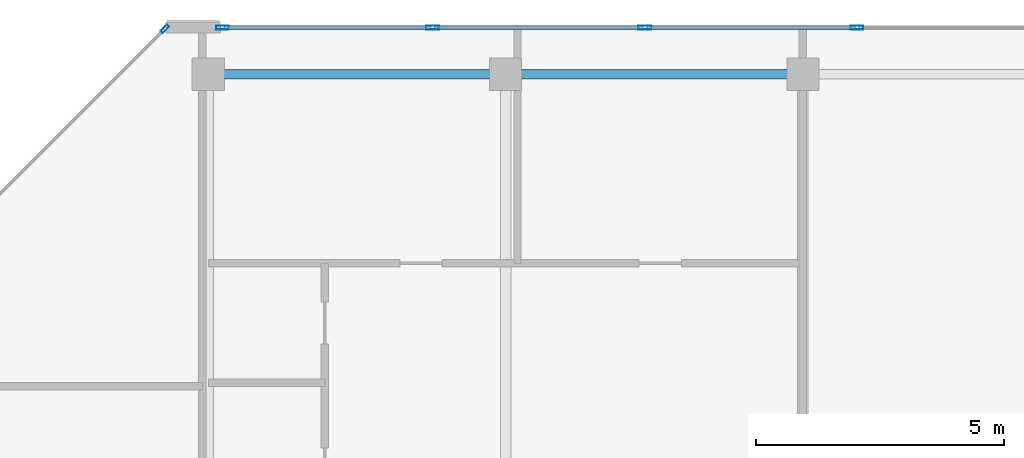
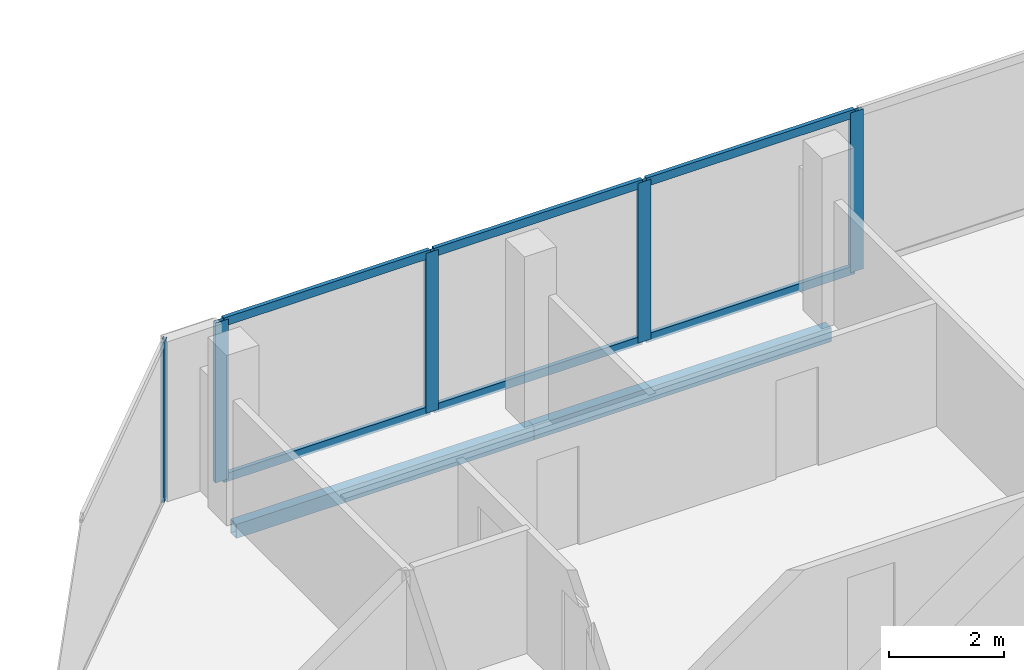
# One storey, part 15 of 28: 11 members, 2 beams, 2 elements without a shape of their own.
"""IFC4 building model written with IfcOpenShell, lengths in metres."""

from ifc_helpers import new_model, si_unit, direction, frame, origin, origin_2d, place, context, subcontext, project, spatial, hollow_rectangle, extrude, material, layer, layer_set, material_profile, profile_set, type_object, element, aggregate, save


model = new_model("IFC4")

# Units and contexts
model_context = context("Model", 3, precision=1e-05, world=origin(), true_north=direction((0.0, 1.0)))
body_context = subcontext(model_context, "Body", "Model", "MODEL_VIEW")
ifc_project = project(units=[si_unit("LENGTHUNIT", "METRE"), si_unit("AREAUNIT", "SQUARE_METRE"), si_unit("VOLUMEUNIT", "CUBIC_METRE"), si_unit("PLANEANGLEUNIT", "RADIAN"), si_unit("MASSUNIT", "GRAM", prefix="KILO")], contexts=[model_context])

# Site, building, storey
site_placement = place(None, origin())
site = spatial("IfcSite", under=ifc_project, at=site_placement, CompositionType="ELEMENT")
building_placement = place(site_placement, origin())
building = spatial("IfcBuilding", under=site, at=building_placement, Name="Tanjung Sevakor Pilgrim Tower", CompositionType="ELEMENT")
storey_placement = place(building_placement, frame((0.0, 0.0, 257.070068359375)))
storey = spatial("IfcBuildingStorey", under=building, at=storey_placement, Name="L72", CompositionType="ELEMENT", Elevation=257.070068359375)

# Beams
ifc_material_1 = material(Name="Steel S355J2", Category="steel")
ifc_material_profile_1 = material_profile(ifc_material_1, hollow_rectangle(XDim=0.199951171875, YDim=0.300048828125, WallThickness=0.012451171875, at=origin_2d()))
ifc_profile_set_1 = profile_set([ifc_material_profile_1], Name="Steel S355J2")
beam_type = type_object("IfcBeamType", Name="BM-B-SP3-RHS_300x200x12.5", PredefinedType="SPANDREL", material=ifc_profile_set_1)
for number, where, z_axis, x_axis, name in (
    (1, (72.0, 53.949951171875, -0.3701171875), (1.0, 0.0, 0.0), (0.0, 1.0, 0.0), "L72 Spandrel EAST N-02"),
    (2, (78.0, 53.949951171875, -0.3701171875), (1.0, 0.0, 0.0), (0.0, 1.0, 0.0), "L72 Spandrel EAST N-04"),
):
    element("IfcBeam", number, at=place(storey_placement, frame(where, z_axis=z_axis, x_axis=x_axis)), inside=storey, type_object=beam_type, Name=name, PredefinedType="SPANDREL", context=body_context, shape_type="SweptSolid", body=[
        extrude(hollow_rectangle(XDim=0.199951171875, YDim=0.300048828125, WallThickness=0.012451171875, at=origin_2d()), origin(), (0.0, 0.0, 1.0), 6.0),
    ])

# Curtain wall, member
ifc_material_2 = material(Name="Aluminium 6063-T6 and Low-E Glass", Category="aluminium")
ifc_layer_1 = layer(ifc_material_2, 0.179931640625)
ifc_layer_set_1 = layer_set([ifc_layer_1], Name="CW-SYS-CHAM")
curtain_wall_type_1 = type_object("IfcCurtainWallType", Name="CW-SYS-CHAM", PredefinedType="NOTDEFINED", material=ifc_layer_set_1)
curtain_wall_1_placement = place(storey_placement, origin())
curtain_wall_1 = element("IfcCurtainWall", 3, at=curtain_wall_1_placement, inside=storey, type_object=curtain_wall_type_1, Name="L72 Curtain Wall CW-CHM-L72-EAST-5", PredefinedType="NOTDEFINED")
ifc_material_3 = material(Name="Aluminium 6063-T6", Category="aluminium")
ifc_material_profile_2 = material_profile(ifc_material_3, hollow_rectangle(XDim=0.06494140625, YDim=0.179931640625, WallThickness=0.00390625, at=origin_2d()))
ifc_profile_set_2 = profile_set([ifc_material_profile_2], Name="Aluminium 6063-T6")
member_type_1 = type_object("IfcMemberType", Name="TYPE-CWM-1", PredefinedType="MULLION", material=ifc_profile_set_2)
member_1_placement = place(storey_placement, frame((71.12255859375, 54.866943359375, 0.0), z_axis=(0.0, 0.0, 1.0), x_axis=(0.707106781187, -0.707106781187, 0.0)))
member_1 = element("IfcMember", 4, at=member_1_placement, type_object=member_type_1, Name="CW-CHM mullion 1", PredefinedType="MULLION", context=body_context, shape_type="SweptSolid", body=[
    extrude(hollow_rectangle(XDim=0.06494140625, YDim=0.179931640625, WallThickness=0.00390625, at=origin_2d()), origin(), (0.0, 0.0, 1.0), 3.409912109375),
])
aggregate(curtain_wall_1, [member_1])

# Curtain wall, members
ifc_material_4 = material(Name="Aluminium 6063-T6 and Low-E Glass", Category="aluminium")
ifc_layer_2 = layer(ifc_material_4, 0.219970703125)
ifc_layer_set_2 = layer_set([ifc_layer_2], Name="CW-SYS-CRNE")
curtain_wall_type_2 = type_object("IfcCurtainWallType", Name="CW-SYS-CRNE", PredefinedType="NOTDEFINED", material=ifc_layer_set_2)
curtain_wall_2_placement = place(storey_placement, origin())
curtain_wall_2 = element("IfcCurtainWall", 5, at=curtain_wall_2_placement, inside=storey, type_object=curtain_wall_type_2, Name="L72 Curtain Wall CW-CRN-L72-EAST-4-1", PredefinedType="NOTDEFINED")
ifc_material_5 = material(Name="Aluminium 6063-T6", Category="aluminium")
ifc_material_profile_3 = material_profile(ifc_material_5, hollow_rectangle(XDim=0.080078125, YDim=0.260009765625, WallThickness=0.0048828125, at=origin_2d()))
ifc_profile_set_3 = profile_set([ifc_material_profile_3], Name="Aluminium 6063-T6")
member_type_2 = type_object("IfcMemberType", Name="TYPE-CWM-3", PredefinedType="MULLION", material=ifc_profile_set_3)
member_2_placement = place(storey_placement, frame((85.0908203125, 54.889892578125, 0.0), z_axis=(0.0, 0.0, 1.0), x_axis=(0.0, -1.0, 0.0)))
member_2 = element("IfcMember", 6, at=member_2_placement, type_object=member_type_2, Name="CW-CRE mullion 3", PredefinedType="MULLION", context=body_context, shape_type="SweptSolid", body=[
    extrude(hollow_rectangle(XDim=0.080078125, YDim=0.260009765625, WallThickness=0.0048828125, at=origin_2d()), origin(), (0.0, 0.0, 1.0), 3.409912109375),
])
member_3_placement = place(storey_placement, frame((80.80908203125, 54.889892578125, 0.0), z_axis=(0.0, 0.0, 1.0), x_axis=(0.0, -1.0, 0.0)))
member_3 = element("IfcMember", 7, at=member_3_placement, type_object=member_type_2, Name="CW-CRE mullion 4", PredefinedType="MULLION", context=body_context, shape_type="SweptSolid", body=[
    extrude(hollow_rectangle(XDim=0.080078125, YDim=0.260009765625, WallThickness=0.0048828125, at=origin_2d()), origin(), (0.0, 0.0, 1.0), 3.409912109375),
])
member_4_placement = place(storey_placement, frame((76.52734375, 54.889892578125, 0.0), z_axis=(0.0, 0.0, 1.0), x_axis=(0.0, -1.0, 0.0)))
member_4 = element("IfcMember", 8, at=member_4_placement, type_object=member_type_2, Name="CW-CRE mullion 5", PredefinedType="MULLION", context=body_context, shape_type="SweptSolid", body=[
    extrude(hollow_rectangle(XDim=0.080078125, YDim=0.260009765625, WallThickness=0.0048828125, at=origin_2d()), origin(), (0.0, 0.0, 1.0), 3.409912109375),
])
member_5_placement = place(storey_placement, frame((72.28564453125, 54.889892578125, 0.0), z_axis=(0.0, 0.0, 1.0), x_axis=(0.0, -1.0, 0.0)))
member_5 = element("IfcMember", 9, at=member_5_placement, type_object=member_type_2, Name="CW-CRE mullion 6", PredefinedType="MULLION", context=body_context, shape_type="SweptSolid", body=[
    extrude(hollow_rectangle(XDim=0.080078125, YDim=0.260009765625, WallThickness=0.0048828125, at=origin_2d()), origin(), (0.0, 0.0, 1.0), 3.409912109375),
])
ifc_material_6 = material(Name="Aluminium 6063-T6", Category="aluminium")
ifc_material_profile_4 = material_profile(ifc_material_6, hollow_rectangle(XDim=0.080078125, YDim=0.179931640625, WallThickness=0.0048828125, at=origin_2d()))
ifc_profile_set_4 = profile_set([ifc_material_profile_4], Name="Aluminium 6063-T6")
member_type_3 = type_object("IfcMemberType", Name="TYPE-CWT-3", PredefinedType="USERDEFINED", material=ifc_profile_set_4)
member_6_placement = place(storey_placement, frame((85.05078125, 54.889892578125, 0.0400390625), z_axis=(-1.0, 0.0, 0.0), x_axis=(0.0, -1.0, 0.0)))
member_6 = element("IfcMember", 10, at=member_6_placement, type_object=member_type_3, Name="CW-CRE transom 3.1", ObjectType="TRANSOM", PredefinedType="USERDEFINED", context=body_context, shape_type="SweptSolid", body=[
    extrude(hollow_rectangle(XDim=0.080078125, YDim=0.179931640625, WallThickness=0.0048828125, at=origin_2d()), origin(), (0.0, 0.0, 1.0), 4.20166015625),
])
member_7_placement = place(storey_placement, frame((85.05078125, 54.889892578125, 3.369873046875), z_axis=(-1.0, 0.0, 0.0), x_axis=(0.0, -1.0, 0.0)))
member_7 = element("IfcMember", 11, at=member_7_placement, type_object=member_type_3, Name="CW-CRE transom 3.2", ObjectType="TRANSOM", PredefinedType="USERDEFINED", context=body_context, shape_type="SweptSolid", body=[
    extrude(hollow_rectangle(XDim=0.080078125, YDim=0.179931640625, WallThickness=0.0048828125, at=origin_2d()), origin(), (0.0, 0.0, 1.0), 4.20166015625),
])
member_8_placement = place(storey_placement, frame((80.76904296875, 54.889892578125, 0.0400390625), z_axis=(-1.0, 0.0, 0.0), x_axis=(0.0, -1.0, 0.0)))
member_8 = element("IfcMember", 12, at=member_8_placement, type_object=member_type_3, Name="CW-CRE transom 4.1", ObjectType="TRANSOM", PredefinedType="USERDEFINED", context=body_context, shape_type="SweptSolid", body=[
    extrude(hollow_rectangle(XDim=0.080078125, YDim=0.179931640625, WallThickness=0.0048828125, at=origin_2d()), origin(), (0.0, 0.0, 1.0), 4.20166015625),
])
member_9_placement = place(storey_placement, frame((80.76904296875, 54.889892578125, 3.369873046875), z_axis=(-1.0, 0.0, 0.0), x_axis=(0.0, -1.0, 0.0)))
member_9 = element("IfcMember", 13, at=member_9_placement, type_object=member_type_3, Name="CW-CRE transom 4.2", ObjectType="TRANSOM", PredefinedType="USERDEFINED", context=body_context, shape_type="SweptSolid", body=[
    extrude(hollow_rectangle(XDim=0.080078125, YDim=0.179931640625, WallThickness=0.0048828125, at=origin_2d()), origin(), (0.0, 0.0, 1.0), 4.20166015625),
])
member_10_placement = place(storey_placement, frame((76.4873046875, 54.889892578125, 0.0400390625), z_axis=(-1.0, 0.0, 0.0), x_axis=(0.0, -1.0, 0.0)))
member_10 = element("IfcMember", 14, at=member_10_placement, type_object=member_type_3, Name="CW-CRE transom 5.1", ObjectType="TRANSOM", PredefinedType="USERDEFINED", context=body_context, shape_type="SweptSolid", body=[
    extrude(hollow_rectangle(XDim=0.080078125, YDim=0.179931640625, WallThickness=0.0048828125, at=origin_2d()), origin(), (0.0, 0.0, 1.0), 4.16162109375),
])
member_11_placement = place(storey_placement, frame((76.4873046875, 54.889892578125, 3.369873046875), z_axis=(-1.0, 0.0, 0.0), x_axis=(0.0, -1.0, 0.0)))
member_11 = element("IfcMember", 15, at=member_11_placement, type_object=member_type_3, Name="CW-CRE transom 5.2", ObjectType="TRANSOM", PredefinedType="USERDEFINED", context=body_context, shape_type="SweptSolid", body=[
    extrude(hollow_rectangle(XDim=0.080078125, YDim=0.179931640625, WallThickness=0.0048828125, at=origin_2d()), origin(), (0.0, 0.0, 1.0), 4.16162109375),
])
aggregate(curtain_wall_2, [member_2, member_3, member_4, member_5, member_6, member_7, member_8, member_9, member_10, member_11])

save(model, "model.ifc")
